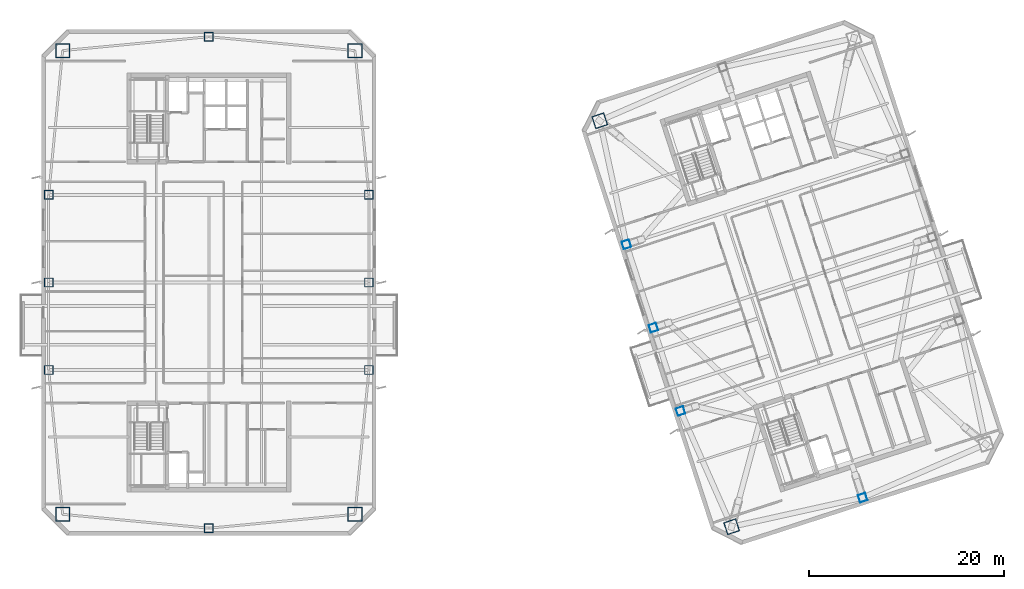
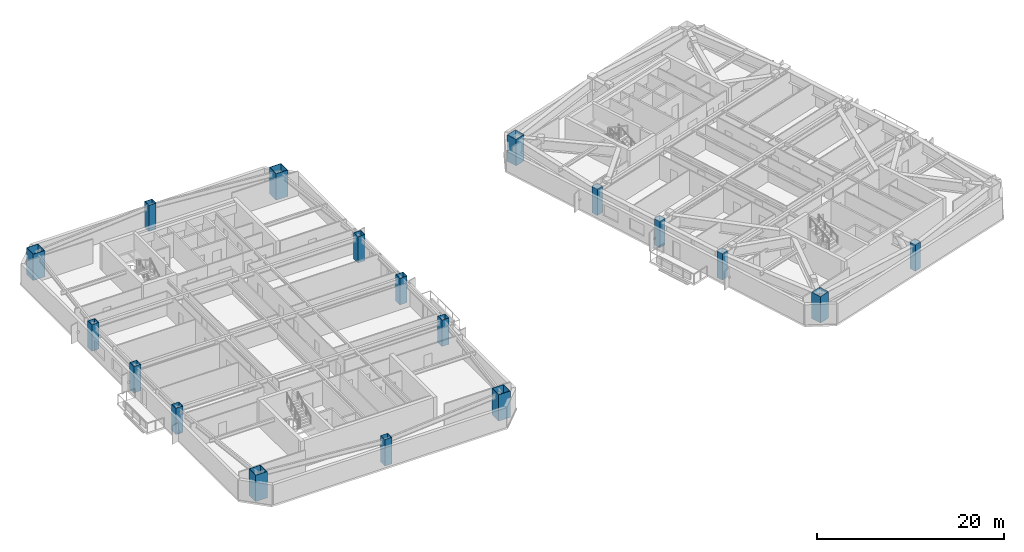
# One storey, part 1 of 18: 18 columns.
"""IFC4 building model written with IfcOpenShell, lengths in metres."""

from ifc_helpers import new_model, si_unit, direction, frame, origin, origin_2d, place, context, subcontext, project, spatial, hollow_rectangle, extrude, material, material_profile, profile_set, type_object, element, save


model = new_model("IFC4")

# Units and contexts
model_context = context("Model", 3, precision=1e-05, world=origin(), true_north=direction((0.0, 1.0)))
body_context = subcontext(model_context, "Body", "Model", "MODEL_VIEW")
ifc_project = project(units=[si_unit("LENGTHUNIT", "METRE"), si_unit("AREAUNIT", "SQUARE_METRE"), si_unit("VOLUMEUNIT", "CUBIC_METRE"), si_unit("PLANEANGLEUNIT", "RADIAN"), si_unit("MASSUNIT", "GRAM", prefix="KILO")], contexts=[model_context])

# Site, building, storey
site_placement = place(None, origin())
site = spatial("IfcSite", under=ifc_project, at=site_placement, CompositionType="ELEMENT")
building_placement = place(site_placement, origin())
building = spatial("IfcBuilding", under=site, at=building_placement, Name="Qiaolan Cultural Towers", CompositionType="ELEMENT")
storey_placement = place(building_placement, frame((0.0, 0.0, 195.5)))
storey = spatial("IfcBuildingStorey", under=building, at=storey_placement, Name="L52", CompositionType="ELEMENT", Elevation=195.5)

# Columns
ifc_material_1 = material(Name="Steel Q390GJB", Category="steel")
ifc_material_profile_1 = material_profile(ifc_material_1, hollow_rectangle(XDim=1.300048828125, YDim=1.300048828125, WallThickness=0.044921875, at=origin_2d()), Name="BOX1300x1300x45")
ifc_profile_set_1 = profile_set([ifc_material_profile_1], Name="Steel Q390GJB")
column_type_1 = type_object("IfcColumnType", Name="COL-BOX1300x1300x45", PredefinedType="COLUMN", material=ifc_profile_set_1)
for number, where, z_axis, x_axis, name in (
    (1, (83.71875, 8.900634765625, 0.0), (0.0, 0.0, 1.0), (0.951056516295, 0.309016994375, 0.0), "L52 T2 Perimeter Column MC-SW"),
    (2, (70.165283203125, 50.61376953125, 0.0), (0.0, 0.0, 1.0), (0.951056516295, 0.309016994375, 0.0), "L52 T2 Perimeter Column MC-NW"),
):
    element("IfcColumn", number, at=place(storey_placement, frame(where, z_axis=z_axis, x_axis=x_axis)), inside=storey, type_object=column_type_1, Name=name, PredefinedType="COLUMN", context=body_context, shape_type="SweptSolid", body=[
        extrude(hollow_rectangle(XDim=1.300048828125, YDim=1.300048828125, WallThickness=0.044921875, at=origin_2d()), origin(), (0.0, 0.0, 1.0), 3.450927734375),
    ])
ifc_material_2 = material(Name="Steel Q420GJB", Category="steel")
ifc_material_profile_2 = material_profile(ifc_material_2, hollow_rectangle(XDim=1.449951171875, YDim=1.449951171875, WallThickness=0.050048828125, at=origin_2d()), Name="BOX1450x1450x50")
ifc_profile_set_2 = profile_set([ifc_material_profile_2], Name="Steel Q420GJB")
column_type_2 = type_object("IfcColumnType", Name="COL-BOX1450x1450x50", PredefinedType="COLUMN", material=ifc_profile_set_2)
for number, where, z_axis, x_axis, name in (
    (3, (14.97998046875, 10.179931640625, 0.0), (0.0, 0.0, 1.0), (1.0, 0.0, 0.0), "L52 T1 Perimeter Column MC-SW"),
    (4, (45.02001953125, 10.179931640625, 0.0), (0.0, 0.0, 1.0), (1.0, 0.0, 0.0), "L52 T1 Perimeter Column MC-SE"),
    (5, (45.02001953125, 57.820068359375, 0.0), (0.0, 0.0, 1.0), (1.0, 0.0, 0.0), "L52 T1 Perimeter Column MC-NE"),
    (6, (14.97998046875, 57.820068359375, 0.0), (0.0, 0.0, 1.0), (1.0, 0.0, 0.0), "L52 T1 Perimeter Column MC-NW"),
):
    element("IfcColumn", number, at=place(storey_placement, frame(where, z_axis=z_axis, x_axis=x_axis)), inside=storey, type_object=column_type_2, Name=name, PredefinedType="COLUMN", context=body_context, shape_type="SweptSolid", body=[
        extrude(hollow_rectangle(XDim=1.449951171875, YDim=1.449951171875, WallThickness=0.050048828125, at=origin_2d()), origin(), (0.0, 0.0, 1.0), 3.450927734375),
    ])
ifc_material_3 = material(Name="Steel Q355B", Category="steel")
ifc_material_profile_3 = material_profile(ifc_material_3, hollow_rectangle(XDim=0.800048828125, YDim=0.800048828125, WallThickness=0.028076171875, at=origin_2d()), Name="BOX800x800x28")
ifc_profile_set_3 = profile_set([ifc_material_profile_3], Name="Steel Q355B")
column_type_3 = type_object("IfcColumnType", Name="COL-BOX800x800x28", PredefinedType="COLUMN", material=ifc_profile_set_3)
for number, where, z_axis, x_axis, name in (
    (7, (78.4677734375, 20.789794921875, 0.0), (0.0, 0.0, 1.0), (0.951056516295, 0.309016994375, 0.0), "L52 T2 Perimeter Column PC-W1"),
    (8, (75.6865234375, 29.349365234375, 0.0), (0.0, 0.0, 1.0), (0.951056516295, 0.309016994375, 0.0), "L52 T2 Perimeter Column PC-W2"),
    (9, (72.905517578125, 37.90869140625, 0.0), (0.0, 0.0, 1.0), (0.951056516295, 0.309016994375, 0.0), "L52 T2 Perimeter Column PC-W3"),
    (10, (97.1845703125, 11.887939453125, 0.0), (0.0, 0.0, 1.0), (0.951056516295, 0.309016994375, 0.0), "L52 T2 Perimeter Column PC-S0"),
):
    element("IfcColumn", number, at=place(storey_placement, frame(where, z_axis=z_axis, x_axis=x_axis)), inside=storey, type_object=column_type_3, Name=name, PredefinedType="COLUMN", context=body_context, shape_type="SweptSolid", body=[
        extrude(hollow_rectangle(XDim=0.800048828125, YDim=0.800048828125, WallThickness=0.028076171875, at=origin_2d()), origin(), (0.0, 0.0, 1.0), 3.450927734375),
    ])
ifc_material_4 = material(Name="Steel Q355B", Category="steel")
ifc_material_profile_4 = material_profile(ifc_material_4, hollow_rectangle(XDim=0.89990234375, YDim=0.89990234375, WallThickness=0.031982421875, at=origin_2d()), Name="BOX900x900x32")
ifc_profile_set_4 = profile_set([ifc_material_profile_4], Name="Steel Q355B")
column_type_4 = type_object("IfcColumnType", Name="COL-BOX900x900x32", PredefinedType="COLUMN", material=ifc_profile_set_4)
for number, where, z_axis, x_axis, name in (
    (11, (13.550048828125, 25.0, 0.0), (0.0, 0.0, 1.0), (1.0, 0.0, 0.0), "L52 T1 Perimeter Column PC-W1"),
    (12, (13.550048828125, 34.0, 0.0), (0.0, 0.0, 1.0), (1.0, 0.0, 0.0), "L52 T1 Perimeter Column PC-W2"),
    (13, (13.550048828125, 43.0, 0.0), (0.0, 0.0, 1.0), (1.0, 0.0, 0.0), "L52 T1 Perimeter Column PC-W3"),
    (14, (46.449951171875, 25.0, 0.0), (0.0, 0.0, 1.0), (1.0, 0.0, 0.0), "L52 T1 Perimeter Column PC-E1"),
    (15, (46.449951171875, 34.0, 0.0), (0.0, 0.0, 1.0), (1.0, 0.0, 0.0), "L52 T1 Perimeter Column PC-E2"),
    (16, (46.449951171875, 43.0, 0.0), (0.0, 0.0, 1.0), (1.0, 0.0, 0.0), "L52 T1 Perimeter Column PC-E3"),
    (17, (30.0, 8.75, 0.0), (0.0, 0.0, 1.0), (1.0, 0.0, 0.0), "L52 T1 Perimeter Column PC-S0"),
    (18, (30.0, 59.25, 0.0), (0.0, 0.0, 1.0), (1.0, 0.0, 0.0), "L52 T1 Perimeter Column PC-N0"),
):
    element("IfcColumn", number, at=place(storey_placement, frame(where, z_axis=z_axis, x_axis=x_axis)), inside=storey, type_object=column_type_4, Name=name, PredefinedType="COLUMN", context=body_context, shape_type="SweptSolid", body=[
        extrude(hollow_rectangle(XDim=0.89990234375, YDim=0.89990234375, WallThickness=0.031982421875, at=origin_2d()), origin(), (0.0, 0.0, 1.0), 3.450927734375),
    ])

save(model, "model.ifc")
